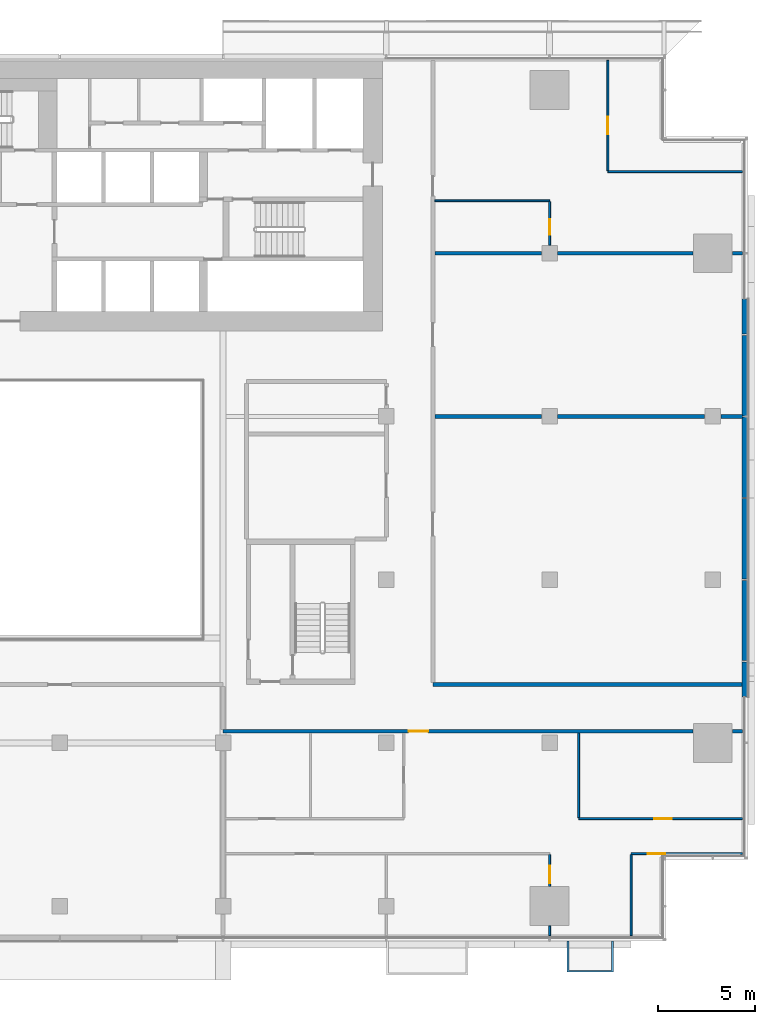
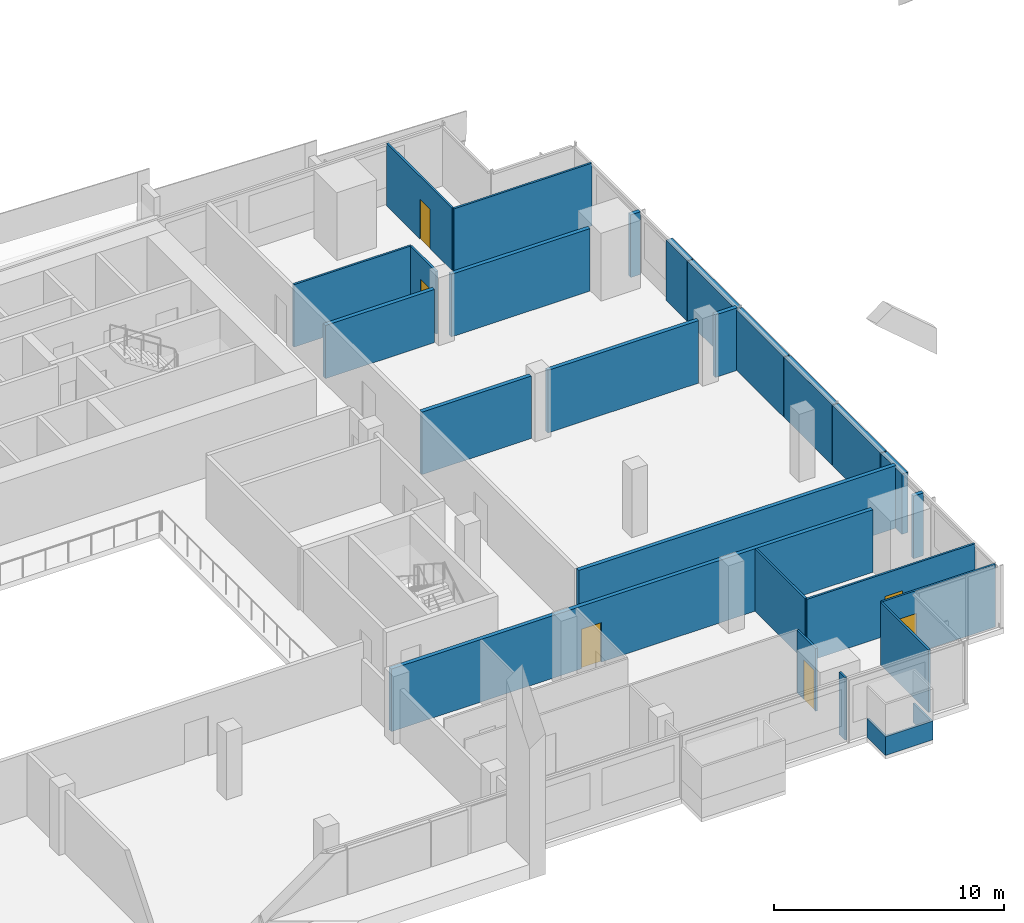
# One storey, part 24 of 30: 26 walls, 6 doors, 6 openings.
"""IFC4 building model written with IfcOpenShell, lengths in metres."""

from ifc_helpers import new_model, si_unit, direction, frame, frame_2d, origin, place, context, subcontext, project, spatial, polyline, rectangle, outline, extrude, material, layer, layer_set, type_object, element, fill, save


model = new_model("IFC4")

# Units and contexts
model_context = context("Model", 3, precision=1e-05, world=origin(), true_north=direction((0.0, 1.0)))
body_context = subcontext(model_context, "Body", "Model", "MODEL_VIEW")
ifc_project = project(units=[si_unit("LENGTHUNIT", "METRE"), si_unit("AREAUNIT", "SQUARE_METRE"), si_unit("VOLUMEUNIT", "CUBIC_METRE"), si_unit("PLANEANGLEUNIT", "RADIAN"), si_unit("MASSUNIT", "GRAM", prefix="KILO")], contexts=[model_context])

# Site, building, storey
site_placement = place(None, origin())
site = spatial("IfcSite", under=ifc_project, at=site_placement, CompositionType="ELEMENT")
building_placement = place(site_placement, origin())
building = spatial("IfcBuilding", under=site, at=building_placement, Name="Saffron Gate Tower", CompositionType="ELEMENT")
storey_placement = place(building_placement, frame((0.0, 0.0, 95.25)))
storey = spatial("IfcBuildingStorey", under=building, at=storey_placement, Name="L21", CompositionType="ELEMENT", Elevation=95.25)

# Wall, opening, door
ifc_material_1 = material(Name="Plasterboard on steel studs", Category="steel")
ifc_layer_1 = layer(ifc_material_1, 0.10009765625)
ifc_layer_set_1 = layer_set([ifc_layer_1], Name="PW1 Partition 100")
wall_type_1 = type_object("IfcWallType", Name="PW1 Partition 100", PredefinedType="PARTITIONING", material=ifc_layer_set_1)
wall_1_placement = place(storey_placement, frame((126.919921875, 34.5, 0.0), z_axis=(0.0, 0.0, 1.0), x_axis=(-1.0, 0.0, 0.0)))
wall_1 = element("IfcWall", 1, at=wall_1_placement, inside=storey, type_object=wall_type_1, Name="Partition B1-3", PredefinedType="PARTITIONING", context=body_context, shape_type="SweptSolid", body=[
    extrude(rectangle(XDim=5.719970703125, YDim=0.10009765625, at=frame_2d((2.85986328125, 0.0))), origin(), (0.0, 0.0, 1.0), 3.320068359375),
])
opening_1_placement = place(wall_1_placement, frame((3.96630859375, 0.0, 0.0)))
opening_1 = element("IfcOpeningElement", 2, at=opening_1_placement, cuts=wall_1, Name="Opening B1-11", PredefinedType="OPENING", context=body_context, shape_type="SweptSolid", body=[
    extrude(rectangle(XDim=0.89990234375, YDim=2.10009765625, at=frame_2d((0.449951171875, 1.050048828125))), frame((0.0, 0.06005859375, 0.0), z_axis=(0.0, -1.0, 0.0), x_axis=(1.0, 0.0, 0.0)), (0.0, 0.0, 1.0), 0.1201171875),
])
ifc_material_2 = material(Name="Timber door set", Category="wood")
door_type_1 = type_object("IfcDoorType", Name="RD1 Room door 900x2100", OperationType="NOTDEFINED", PredefinedType="DOOR", material=ifc_material_2)
door_1_placement = place(opening_1_placement, origin())
door_1 = element("IfcDoor", 3, at=door_1_placement, inside=storey, type_object=door_type_1, Name="Door B1-11", OperationType="SINGLE_SWING_RIGHT", OverallHeight=2.10009765625, OverallWidth=0.89990234375, PredefinedType="DOOR", context=body_context, shape_type="SweptSolid", body=[
    extrude(rectangle(XDim=0.89990234375, YDim=2.10009765625, at=frame_2d((0.449951171875, 1.050048828125))), frame((0.0, 0.02490234375, 0.0), z_axis=(0.0, -1.0, 0.0), x_axis=(1.0, 0.0, 0.0)), (0.0, 0.0, 1.0), 0.050048828125),
])
fill(opening_1, door_1)

wall_2_placement = place(storey_placement, frame((118.5, 36.300048828125, 0.0), z_axis=(0.0, 0.0, 1.0), x_axis=(1.0, 0.0, 0.0)))
wall_2 = element("IfcWall", 4, at=wall_2_placement, inside=storey, type_object=wall_type_1, Name="Partition B1-7", PredefinedType="PARTITIONING", context=body_context, shape_type="SweptSolid", body=[
    extrude(rectangle(XDim=8.419921875, YDim=0.10009765625, at=frame_2d((4.2099609375, 0.0))), origin(), (0.0, 0.0, 1.0), 3.320068359375),
])
opening_2_placement = place(wall_2_placement, frame((3.89990234375, 0.0, 0.0)))
opening_2 = element("IfcOpeningElement", 5, at=opening_2_placement, cuts=wall_2, Name="Opening B1-12", PredefinedType="OPENING", context=body_context, shape_type="SweptSolid", body=[
    extrude(rectangle(XDim=0.89990234375, YDim=2.10009765625, at=frame_2d((0.449951171875, 1.050048828125))), frame((0.0, 0.06005859375, 0.0), z_axis=(0.0, -1.0, 0.0), x_axis=(1.0, 0.0, 0.0)), (0.0, 0.0, 1.0), 0.1201171875),
])
door_2_placement = place(opening_2_placement, origin())
door_2 = element("IfcDoor", 6, at=door_2_placement, inside=storey, type_object=door_type_1, Name="Door B1-12", OperationType="SINGLE_SWING_RIGHT", OverallHeight=2.10009765625, OverallWidth=0.89990234375, PredefinedType="DOOR", context=body_context, shape_type="SweptSolid", body=[
    extrude(rectangle(XDim=0.89990234375, YDim=2.10009765625, at=frame_2d((0.449951171875, 1.050048828125))), frame((0.0, 0.02490234375, 0.0), z_axis=(0.0, -1.0, 0.0), x_axis=(1.0, 0.0, 0.0)), (0.0, 0.0, 1.0), 0.050048828125),
])
fill(opening_2, door_2)

# Walls
wall_3_placement = place(storey_placement, frame((111.10009765625, 68.10009765625, 0.0), z_axis=(0.0, 0.0, 1.0), x_axis=(1.0, 0.0, 0.0)))
element("IfcWall", 7, at=wall_3_placement, inside=storey, type_object=wall_type_1, Name="Partition B1-32", PredefinedType="PARTITIONING", context=body_context, shape_type="SweptSolid", body=[
    extrude(rectangle(XDim=5.89990234375, YDim=0.10009765625, at=frame_2d((2.949951171875, 0.0))), origin(), (0.0, 0.0, 1.0), 3.320068359375),
])
wall_4_placement = place(storey_placement, frame((120.0, 69.60009765625, 0.0), z_axis=(0.0, 0.0, 1.0), x_axis=(1.0, 0.0, 0.0)))
element("IfcWall", 8, at=wall_4_placement, inside=storey, type_object=wall_type_1, Name="Partition B1-34", PredefinedType="PARTITIONING", context=body_context, shape_type="SweptSolid", body=[
    extrude(rectangle(XDim=6.919921875, YDim=0.10009765625, at=frame_2d((3.4599609375, 0.0))), origin(), (0.0, 0.0, 1.0), 3.320068359375),
])
wall_5_placement = place(storey_placement, frame((117.0, 30.780029296875, 0.0), z_axis=(0.0, 0.0, 1.0), x_axis=(0.0, -1.0, 0.0)))
element("IfcWall", 9, at=wall_5_placement, inside=storey, type_object=wall_type_1, Name="Partition B1-67", PredefinedType="PARTITIONING", context=body_context, shape_type="SweptSolid", body=[
    extrude(rectangle(XDim=0.5, YDim=0.10009765625, at=frame_2d((0.25, 0.0))), origin(), (0.0, 0.0, 1.0), 3.320068359375),
])

# Wall, opening, door
wall_6_placement = place(storey_placement, frame((117.0, 32.820068359375, 0.0), z_axis=(0.0, 0.0, 1.0), x_axis=(0.0, 1.0, 0.0)))
wall_6 = element("IfcWall", 10, at=wall_6_placement, inside=storey, type_object=wall_type_1, Name="Partition B1-68", PredefinedType="PARTITIONING", context=body_context, shape_type="SweptSolid", body=[
    extrude(rectangle(XDim=1.6298828125, YDim=0.10009765625, at=frame_2d((0.81494140625, 0.0))), origin(), (0.0, 0.0, 1.0), 3.320068359375),
])
opening_3_placement = place(wall_6_placement, frame((0.14990234375, 0.0, 0.0)))
opening_3 = element("IfcOpeningElement", 11, at=opening_3_placement, cuts=wall_6, Name="Opening B1-10", PredefinedType="OPENING", context=body_context, shape_type="SweptSolid", body=[
    extrude(rectangle(XDim=0.89990234375, YDim=2.10009765625, at=frame_2d((0.449951171875, 1.050048828125))), frame((0.0, 0.06005859375, 0.0), z_axis=(0.0, -1.0, 0.0), x_axis=(1.0, 0.0, 0.0)), (0.0, 0.0, 1.0), 0.1201171875),
])
door_3_placement = place(opening_3_placement, origin())
door_3 = element("IfcDoor", 12, at=door_3_placement, inside=storey, type_object=door_type_1, Name="Door B1-10", OperationType="SINGLE_SWING_LEFT", OverallHeight=2.10009765625, OverallWidth=0.89990234375, PredefinedType="DOOR", context=body_context, shape_type="SweptSolid", body=[
    extrude(rectangle(XDim=0.89990234375, YDim=2.10009765625, at=frame_2d((0.449951171875, 1.050048828125))), frame((0.0, 0.02490234375, 0.0), z_axis=(0.0, -1.0, 0.0), x_axis=(1.0, 0.0, 0.0)), (0.0, 0.0, 1.0), 0.050048828125),
])
fill(opening_3, door_3)

wall_7_placement = place(storey_placement, frame((117.0, 65.820068359375, 0.0), z_axis=(0.0, 0.0, 1.0), x_axis=(0.0, 1.0, 0.0)))
wall_7 = element("IfcWall", 13, at=wall_7_placement, inside=storey, type_object=wall_type_1, Name="Partition B1-69", PredefinedType="PARTITIONING", context=body_context, shape_type="SweptSolid", body=[
    extrude(rectangle(XDim=2.22998046875, YDim=0.10009765625, at=frame_2d((1.114990234375, 0.0))), origin(), (0.0, 0.0, 1.0), 3.320068359375),
])
opening_4_placement = place(wall_7_placement, frame((0.530029296875, 0.0, 0.0)))
opening_4 = element("IfcOpeningElement", 14, at=opening_4_placement, cuts=wall_7, Name="Opening B1-21", PredefinedType="OPENING", context=body_context, shape_type="SweptSolid", body=[
    extrude(rectangle(XDim=0.800048828125, YDim=2.10009765625, at=frame_2d((0.39990234375, 1.050048828125))), frame((0.0, 0.06005859375, 0.0), z_axis=(0.0, -1.0, 0.0), x_axis=(1.0, 0.0, 0.0)), (0.0, 0.0, 1.0), 0.1201171875),
])
door_type_2 = type_object("IfcDoorType", Name="RD2 Bathroom door 800x2100", OperationType="NOTDEFINED", PredefinedType="DOOR", material=ifc_material_2)
door_4_placement = place(opening_4_placement, origin())
door_4 = element("IfcDoor", 15, at=door_4_placement, inside=storey, type_object=door_type_2, Name="Door B1-21", OperationType="SINGLE_SWING_LEFT", OverallHeight=2.10009765625, OverallWidth=0.800048828125, PredefinedType="DOOR", context=body_context, shape_type="SweptSolid", body=[
    extrude(rectangle(XDim=0.800048828125, YDim=2.10009765625, at=frame_2d((0.39990234375, 1.050048828125))), frame((0.0, 0.02490234375, 0.0), z_axis=(0.0, -1.0, 0.0), x_axis=(1.0, 0.0, 0.0)), (0.0, 0.0, 1.0), 0.050048828125),
])
fill(opening_4, door_4)

# Wall
wall_8_placement = place(storey_placement, frame((118.5, 40.699951171875, 0.0), z_axis=(0.0, 0.0, 1.0), x_axis=(0.0, -1.0, 0.0)))
element("IfcWall", 16, at=wall_8_placement, inside=storey, type_object=wall_type_1, Name="Partition B1-70", PredefinedType="PARTITIONING", context=body_context, shape_type="SweptSolid", body=[
    extrude(rectangle(XDim=4.349853515625, YDim=0.10009765625, at=frame_2d((2.1748046875, 0.0))), origin(), (0.0, 0.0, 1.0), 3.320068359375),
])

# Wall, opening, door
wall_9_placement = place(storey_placement, frame((120.0, 75.320068359375, 0.0), z_axis=(0.0, 0.0, 1.0), x_axis=(0.0, -1.0, 0.0)))
wall_9 = element("IfcWall", 17, at=wall_9_placement, inside=storey, type_object=wall_type_1, Name="Partition B1-71", PredefinedType="PARTITIONING", context=body_context, shape_type="SweptSolid", body=[
    extrude(rectangle(XDim=5.670166015625, YDim=0.10009765625, at=frame_2d((2.8349609375, 0.0))), origin(), (0.0, 0.0, 1.0), 3.320068359375),
])
opening_5_placement = place(wall_9_placement, frame((2.89111328125, 0.0, 0.0)))
opening_5 = element("IfcOpeningElement", 18, at=opening_5_placement, cuts=wall_9, Name="Opening B1-14", PredefinedType="OPENING", context=body_context, shape_type="SweptSolid", body=[
    extrude(rectangle(XDim=0.89990234375, YDim=2.10009765625, at=frame_2d((0.449951171875, 1.050048828125))), frame((0.0, 0.06005859375, 0.0), z_axis=(0.0, -1.0, 0.0), x_axis=(1.0, 0.0, 0.0)), (0.0, 0.0, 1.0), 0.1201171875),
])
door_5_placement = place(opening_5_placement, origin())
door_5 = element("IfcDoor", 19, at=door_5_placement, inside=storey, type_object=door_type_1, Name="Door B1-14", OperationType="SINGLE_SWING_RIGHT", OverallHeight=2.10009765625, OverallWidth=0.89990234375, PredefinedType="DOOR", context=body_context, shape_type="SweptSolid", body=[
    extrude(rectangle(XDim=0.89990234375, YDim=2.10009765625, at=frame_2d((0.449951171875, 1.050048828125))), frame((0.0, 0.02490234375, 0.0), z_axis=(0.0, -1.0, 0.0), x_axis=(1.0, 0.0, 0.0)), (0.0, 0.0, 1.0), 0.050048828125),
])
fill(opening_5, door_5)

# Wall
wall_10_placement = place(storey_placement, frame((121.199951171875, 34.449951171875, 0.0), z_axis=(0.0, 0.0, 1.0), x_axis=(0.0, -1.0, 0.0)))
element("IfcWall", 20, at=wall_10_placement, inside=storey, type_object=wall_type_1, Name="Partition B1-72", PredefinedType="PARTITIONING", context=body_context, shape_type="SweptSolid", body=[
    extrude(rectangle(XDim=4.169921875, YDim=0.10009765625, at=frame_2d((2.0849609375, 0.0))), origin(), (0.0, 0.0, 1.0), 3.320068359375),
])

# Wall, opening, door
ifc_material_3 = material(Name="Clay brick masonry, rendered", Category="masonry")
ifc_layer_2 = layer(ifc_material_3, 0.199951171875)
ifc_layer_set_2 = layer_set([ifc_layer_2], Name="PW3 Corridor wall 200")
wall_type_2 = type_object("IfcWallType", Name="PW3 Corridor wall 200", PredefinedType="PARTITIONING", material=ifc_layer_set_2)
wall_11_placement = place(storey_placement, frame((124.3798828125, 40.800048828125, 0.0), z_axis=(0.0, 0.0, 1.0), x_axis=(-1.0, 0.0, 0.0)))
wall_11 = element("IfcWall", 21, at=wall_11_placement, inside=storey, type_object=wall_type_2, Name="Wall B1-10", PredefinedType="PARTITIONING", context=body_context, shape_type="SweptSolid", body=[
    extrude(rectangle(XDim=24.179931640625, YDim=0.199951171875, at=frame_2d((12.08984375, 0.0))), origin(), (0.0, 0.0, 1.0), 3.320068359375),
])
opening_6_placement = place(wall_11_placement, frame((13.6298828125, 0.0, 0.0)))
opening_6 = element("IfcOpeningElement", 22, at=opening_6_placement, cuts=wall_11, Name="Opening B1-2", PredefinedType="OPENING", context=body_context, shape_type="SweptSolid", body=[
    extrude(rectangle(XDim=1.0, YDim=2.10009765625, at=frame_2d((0.5, 1.050048828125))), frame((0.0, 0.10986328125, 0.0), z_axis=(0.0, -1.0, 0.0), x_axis=(1.0, 0.0, 0.0)), (0.0, 0.0, 1.0), 0.219970703125),
])
ifc_material_4 = material(Name="Timber fire door set", Category="wood")
door_type_3 = type_object("IfcDoorType", Name="FD1 Flat entry door 1000x2100", OperationType="NOTDEFINED", PredefinedType="DOOR", material=ifc_material_4)
door_6_placement = place(opening_6_placement, origin())
door_6 = element("IfcDoor", 23, at=door_6_placement, inside=storey, type_object=door_type_3, Name="Door B1-2", OperationType="SINGLE_SWING_RIGHT", OverallHeight=2.10009765625, OverallWidth=1.0, PredefinedType="DOOR", context=body_context, shape_type="SweptSolid", body=[
    extrude(rectangle(XDim=1.0, YDim=2.10009765625, at=frame_2d((0.5, 1.050048828125))), frame((0.0, 0.02490234375, 0.0), z_axis=(0.0, -1.0, 0.0), x_axis=(1.0, 0.0, 0.0)), (0.0, 0.0, 1.0), 0.050048828125),
])
fill(opening_6, door_6)

# Walls
wall_12_placement = place(storey_placement, frame((126.419921875, 40.800048828125, 0.0), z_axis=(0.0, 0.0, 1.0), x_axis=(1.0, 0.0, 0.0)))
element("IfcWall", 24, at=wall_12_placement, inside=storey, type_object=wall_type_2, Name="Wall B1-11", PredefinedType="PARTITIONING", context=body_context, shape_type="SweptSolid", body=[
    extrude(rectangle(XDim=0.5, YDim=0.199951171875, at=frame_2d((0.25, 0.0))), origin(), (0.0, 0.0, 1.0), 3.320068359375),
])
wall_13_placement = place(storey_placement, frame((111.0, 43.199951171875, 0.0), z_axis=(0.0, 0.0, 1.0), x_axis=(1.0, 0.0, 0.0)))
element("IfcWall", 25, at=wall_13_placement, inside=storey, type_object=wall_type_2, Name="Wall B1-14", PredefinedType="PARTITIONING", context=body_context, shape_type="SweptSolid", body=[
    extrude(rectangle(XDim=15.919921875, YDim=0.199951171875, at=frame_2d((7.9599609375, 0.0))), origin(), (0.0, 0.0, 1.0), 3.320068359375),
])
ifc_layer_3 = layer(ifc_material_3, 0.199951171875)
ifc_layer_set_3 = layer_set([ifc_layer_3], Name="PW5 Room wall 200")
wall_type_3 = type_object("IfcWallType", Name="PW5 Room wall 200", PredefinedType="PARTITIONING", material=ifc_layer_set_3)
wall_14_placement = place(storey_placement, frame((111.10009765625, 57.0, 0.0), z_axis=(0.0, 0.0, 1.0), x_axis=(1.0, 0.0, 0.0)))
element("IfcWall", 26, at=wall_14_placement, inside=storey, type_object=wall_type_3, Name="Wall B1-21", PredefinedType="PARTITIONING", context=body_context, shape_type="SweptSolid", body=[
    extrude(rectangle(XDim=5.47998046875, YDim=0.199951171875, at=frame_2d((2.739990234375, 0.0))), origin(), (0.0, 0.0, 1.0), 3.320068359375),
])
wall_15_placement = place(storey_placement, frame((117.419921875, 57.0, 0.0), z_axis=(0.0, 0.0, 1.0), x_axis=(1.0, 0.0, 0.0)))
element("IfcWall", 27, at=wall_15_placement, inside=storey, type_object=wall_type_3, Name="Wall B1-22", PredefinedType="PARTITIONING", context=body_context, shape_type="SweptSolid", body=[
    extrude(rectangle(XDim=7.56005859375, YDim=0.199951171875, at=frame_2d((3.780029296875, 0.0))), origin(), (0.0, 0.0, 1.0), 3.320068359375),
])
wall_16_placement = place(storey_placement, frame((125.820068359375, 57.0, 0.0), z_axis=(0.0, 0.0, 1.0), x_axis=(1.0, 0.0, 0.0)))
element("IfcWall", 28, at=wall_16_placement, inside=storey, type_object=wall_type_3, Name="Wall B1-23", PredefinedType="PARTITIONING", context=body_context, shape_type="SweptSolid", body=[
    extrude(rectangle(XDim=1.099853515625, YDim=0.199951171875, at=frame_2d((0.5498046875, 0.0))), origin(), (0.0, 0.0, 1.0), 3.320068359375),
])
wall_17_placement = place(storey_placement, frame((111.10009765625, 65.39990234375, 0.0), z_axis=(0.0, 0.0, 1.0), x_axis=(1.0, 0.0, 0.0)))
element("IfcWall", 29, at=wall_17_placement, inside=storey, type_object=wall_type_3, Name="Wall B1-29", PredefinedType="PARTITIONING", context=body_context, shape_type="SweptSolid", body=[
    extrude(rectangle(XDim=5.47998046875, YDim=0.199951171875, at=frame_2d((2.739990234375, 0.0))), origin(), (0.0, 0.0, 1.0), 2.820068359375),
])
wall_18_placement = place(storey_placement, frame((117.419921875, 65.39990234375, 0.0), z_axis=(0.0, 0.0, 1.0), x_axis=(1.0, 0.0, 0.0)))
element("IfcWall", 30, at=wall_18_placement, inside=storey, type_object=wall_type_3, Name="Wall B1-30", PredefinedType="PARTITIONING", context=body_context, shape_type="SweptSolid", body=[
    extrude(rectangle(XDim=6.9599609375, YDim=0.199951171875, at=frame_2d((3.47998046875, 0.0))), origin(), (0.0, 0.0, 1.0), 3.320068359375),
])
wall_19_placement = place(storey_placement, frame((126.419921875, 65.39990234375, 0.0), z_axis=(0.0, 0.0, 1.0), x_axis=(1.0, 0.0, 0.0)))
element("IfcWall", 31, at=wall_19_placement, inside=storey, type_object=wall_type_3, Name="Wall B1-31", PredefinedType="PARTITIONING", context=body_context, shape_type="SweptSolid", body=[
    extrude(rectangle(XDim=0.5, YDim=0.199951171875, at=frame_2d((0.25, 0.0))), origin(), (0.0, 0.0, 1.0), 3.320068359375),
])
ifc_material_5 = material(Name="Rendered insulated panel, white")
ifc_layer_4 = layer(ifc_material_5, 0.10009765625)
ifc_layer_set_4 = layer_set([ifc_layer_4], Name="WB3 box parapet white")
wall_type_4 = type_object("IfcWallType", Name="WB3 box parapet white", PredefinedType="SOLIDWALL", material=ifc_layer_set_4)
wall_20_placement = place(storey_placement, origin())
element("IfcWall", 32, at=wall_20_placement, inside=storey, type_object=wall_type_4, Name="WINDOW BOX parapet", PredefinedType="SOLIDWALL", context=body_context, shape_type="SweptSolid", body=[
    extrude(outline(polyline([(117.89990234375, 30.0), (118.0, 30.0), (118.0, 28.5), (120.199951171875, 28.5), (120.199951171875, 30.0), (120.300048828125, 30.0), (120.300048828125, 28.39990234375), (117.89990234375, 28.39990234375), (117.89990234375, 30.0)])), origin(), (0.0, 0.0, 1.0), 1.0),
])
ifc_material_6 = material(Name="Reinforced concrete C40/50 with mineral wool insulation", Category="concrete")
ifc_layer_5 = layer(ifc_material_6, 0.30810546875)
ifc_layer_set_5 = layer_set([ifc_layer_5], Name="WBAY3 arch bay insulated wall")
wall_type_5 = type_object("IfcWallType", Name="WBAY3 arch bay insulated wall", PredefinedType="SOLIDWALL", material=ifc_layer_set_5)
wall_21_placement = place(storey_placement, frame((127.0458984375, 44.3701171875, 0.0), z_axis=(0.0, 0.0, 1.0), x_axis=(0.0, -1.0, 0.0)))
element("IfcWall", 33, at=wall_21_placement, inside=storey, type_object=wall_type_5, Name="ARCH BAY wall", PredefinedType="SOLIDWALL", context=body_context, shape_type="SweptSolid", body=[
    extrude(rectangle(XDim=1.8193359375, YDim=0.30810546875, at=frame_2d((0.90966796875, 0.0))), origin(), (0.0, 0.0, 1.0), 3.199951171875),
])
for number, where, z_axis, x_axis, name in (
    (34, (127.0458984375, 48.570068359375, 0.0), (0.0, 0.0, 1.0), (0.0, -1.0, 0.0), "ARCH BAY wall"),
    (35, (127.0458984375, 52.77001953125, 0.0), (0.0, 0.0, 1.0), (0.0, -1.0, 0.0), "ARCH BAY wall"),
):
    element("IfcWall", number, at=place(storey_placement, frame(where, z_axis=z_axis, x_axis=x_axis)), inside=storey, type_object=wall_type_5, Name=name, PredefinedType="SOLIDWALL", context=body_context, shape_type="SweptSolid", body=[
        extrude(rectangle(XDim=4.14013671875, YDim=0.30810546875, at=frame_2d((2.070068359375, 0.0))), origin(), (0.0, 0.0, 1.0), 3.199951171875),
    ])
for number, where, z_axis, x_axis, name in (
    (36, (127.0458984375, 56.969970703125, 0.0), (0.0, 0.0, 1.0), (0.0, -1.0, 0.0), "ARCH BAY wall"),
    (37, (127.0458984375, 61.169921875, 0.0), (0.0, 0.0, 1.0), (0.0, -1.0, 0.0), "ARCH BAY wall"),
):
    element("IfcWall", number, at=place(storey_placement, frame(where, z_axis=z_axis, x_axis=x_axis)), inside=storey, type_object=wall_type_5, Name=name, PredefinedType="SOLIDWALL", context=body_context, shape_type="SweptSolid", body=[
        extrude(rectangle(XDim=4.139892578125, YDim=0.30810546875, at=frame_2d((2.06982421875, 0.0))), origin(), (0.0, 0.0, 1.0), 3.199951171875),
    ])
wall_22_placement = place(storey_placement, frame((127.0458984375, 63.04931640625, 0.0), z_axis=(0.0, 0.0, 1.0), x_axis=(0.0, -1.0, 0.0)))
element("IfcWall", 38, at=wall_22_placement, inside=storey, type_object=wall_type_5, Name="ARCH BAY wall", PredefinedType="SOLIDWALL", context=body_context, shape_type="SweptSolid", body=[
    extrude(rectangle(XDim=1.8193359375, YDim=0.30810546875, at=frame_2d((0.90966796875, 0.0))), origin(), (0.0, 0.0, 1.0), 3.199951171875),
])

save(model, "model.ifc")
